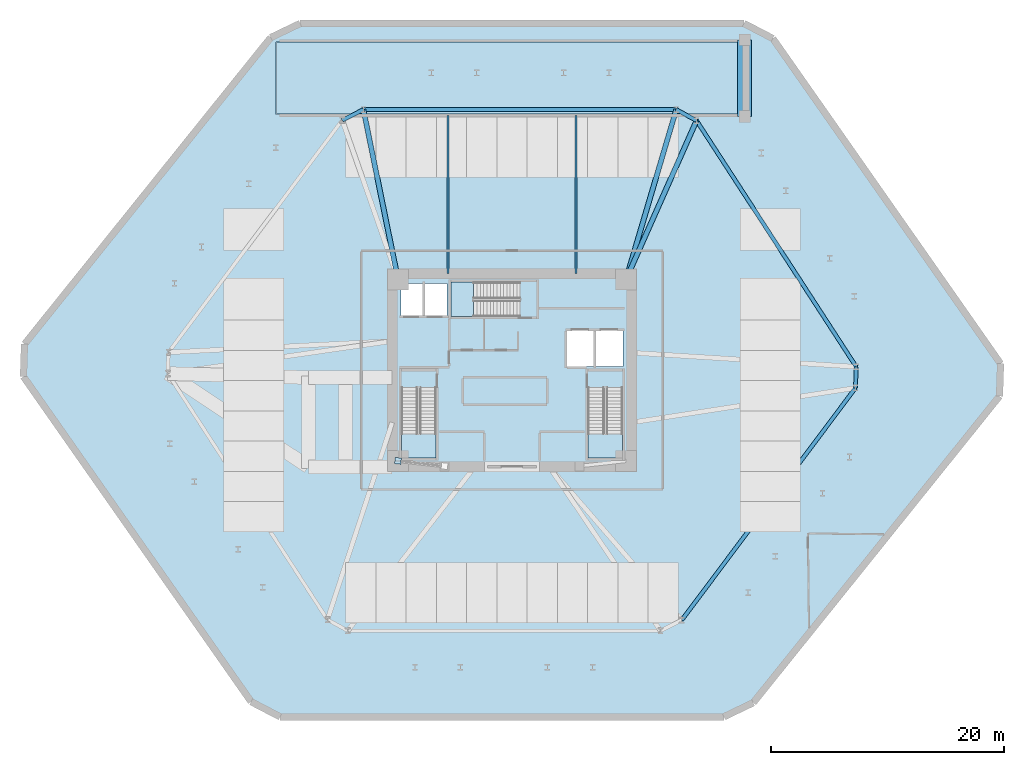
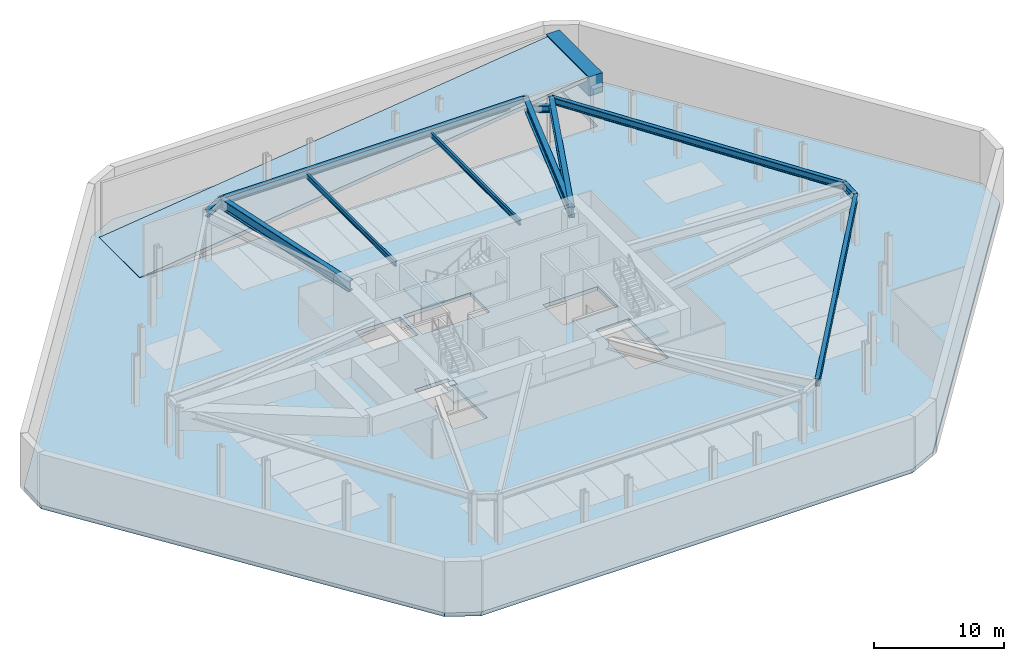
# One storey, part 2 of 8: 12 beams, 5 slabs, 1 plate, 3 elements without a shape of their own.
"""IFC4 building model written with IfcOpenShell, lengths in metres."""

from ifc_helpers import new_model, si_unit, direction, frame, origin, origin_2d, place, context, subcontext, project, spatial, polyline, rectangle, i_section, outline, extrude, source, transform, mapped, material, layer, layer_set, material_profile, profile_set, type_object, type_shapes, element, aggregate, save


model = new_model("IFC4")

# Units and contexts
model_context = context("Model", 3, precision=1e-05, world=origin(), true_north=direction((0.0, 1.0)))
body_context = subcontext(model_context, "Body", "Model", "MODEL_VIEW")
ifc_project = project(units=[si_unit("LENGTHUNIT", "METRE"), si_unit("AREAUNIT", "SQUARE_METRE"), si_unit("VOLUMEUNIT", "CUBIC_METRE"), si_unit("PLANEANGLEUNIT", "RADIAN"), si_unit("MASSUNIT", "GRAM", prefix="KILO")], contexts=[model_context])

# Site, building, storey
site_placement = place(None, origin())
site = spatial("IfcSite", under=ifc_project, at=site_placement, CompositionType="ELEMENT")
building_placement = place(site_placement, origin())
building = spatial("IfcBuilding", under=site, at=building_placement, Name="Durnholm Broadcast Tower", CompositionType="ELEMENT")
storey_placement = place(building_placement, frame((0.0, 0.0, -5.0)))
storey = spatial("IfcBuildingStorey", under=building, at=storey_placement, Name="B01", CompositionType="ELEMENT", Elevation=-5.0)

# Beams
ifc_material_1 = material(Name="Concrete C70/85", Category="concrete")
ifc_material_profile_1 = material_profile(ifc_material_1, rectangle(XDim=1.199951171875, YDim=1.800048828125, at=origin_2d()), Name="RC1200X1800")
ifc_profile_set_1 = profile_set([ifc_material_profile_1], Name="Concrete C70/85")
beam_type_1 = type_object("IfcBeamType", Name="BM-TG-RC1800", PredefinedType="USERDEFINED", material=ifc_profile_set_1)
shared_shape_1 = source(origin(), body_context, "Body", "SweptSolid", [
    extrude(rectangle(XDim=1.199951171875, YDim=1.800048828125, at=origin_2d()), origin(), (0.0, 0.0, 1.0), 6.599853515625),
])
type_shapes(beam_type_1, [shared_shape_1])
beam_1_placement = place(storey_placement, frame((20.0, 21.800048828125, 4.10009765625), z_axis=(0.0, 1.0, 0.0), x_axis=(-1.0, 0.0, 0.0)))
element("IfcBeam", 1, at=beam_1_placement, inside=storey, type_object=beam_type_1, Name="B01 vehicle ramp upper bearing transfer header", ObjectType="GIRDER", PredefinedType="USERDEFINED", context=body_context, shape_type="MappedRepresentation", body=[
    mapped(shared_shape_1, transform((0.0, 0.0, 0.0), x_axis=(1.0, 0.0, 0.0), y_axis=(0.0, 1.0, 0.0), z_axis=(0.0, 0.0, 1.0), scale=1.0)),
])
ifc_material_2 = material(Name="Steel ASTM A992 Grade 50", Category="steel")
ifc_material_profile_2 = material_profile(ifc_material_2, i_section(OverallWidth=0.3330078125, OverallDepth=0.660888671875, WebThickness=0.0244140625, FlangeThickness=0.0439453125, FilletRadius=0.02783203125, at=origin_2d()), Name="W24X229")
ifc_profile_set_2 = profile_set([ifc_material_profile_2], Name="Steel ASTM A992 Grade 50")
beam_type_2 = type_object("IfcBeamType", Name="STL-SP-W24X229", PredefinedType="SPANDREL", material=ifc_profile_set_2)
shared_shape_2 = source(origin(), body_context, "Body", "SweptSolid", [
    extrude(i_section(OverallWidth=0.3330078125, OverallDepth=0.660888671875, WebThickness=0.0244140625, FlangeThickness=0.0439453125, FilletRadius=0.02783203125, at=origin_2d()), origin(), (0.0, 0.0, 1.0), 25.22265625),
])
beam_2_placement = place(storey_placement, frame((15.866455078125, 21.45068359375, 4.3544921875), z_axis=(0.544117081794, -0.839009297505, 0.0), x_axis=(0.839009297505, 0.544117081794, 0.0)))
element("IfcBeam", 2, at=beam_2_placement, inside=storey, type_object=beam_type_2, Name="B01 perimeter spandrel girder 07", PredefinedType="SPANDREL", context=body_context, shape_type="MappedRepresentation", body=[
    mapped(shared_shape_2, transform((0.0, 0.0, 0.0), x_axis=(1.0, 0.0, 0.0), y_axis=(0.0, 1.0, 0.0), z_axis=(0.0, 0.0, 1.0), scale=1.0)),
])
shared_shape_3 = source(origin(), body_context, "Body", "SweptSolid", [
    extrude(i_section(OverallWidth=0.3330078125, OverallDepth=0.660888671875, WebThickness=0.0244140625, FlangeThickness=0.0439453125, FilletRadius=0.02783203125, at=origin_2d()), origin(), (0.0, 0.0, 1.0), 1.820068359375),
])
beam_3_placement = place(storey_placement, frame((29.590576171875, 0.28857421875, 4.3544921875), z_axis=(-0.033667655889, -0.999433083776, 0.0), x_axis=(0.999433083776, -0.033667655889, 0.0)))
element("IfcBeam", 3, at=beam_3_placement, inside=storey, type_object=beam_type_2, Name="B01 perimeter spandrel girder 08", PredefinedType="SPANDREL", context=body_context, shape_type="MappedRepresentation", body=[
    mapped(shared_shape_3, transform((0.0, 0.0, 0.0), x_axis=(1.0, 0.0, 0.0), y_axis=(0.0, 1.0, 0.0), z_axis=(0.0, 0.0, 1.0), scale=1.0)),
])
shared_shape_4 = source(origin(), body_context, "Body", "SweptSolid", [
    extrude(i_section(OverallWidth=0.3330078125, OverallDepth=0.660888671875, WebThickness=0.0244140625, FlangeThickness=0.0439453125, FilletRadius=0.02783203125, at=origin_2d()), origin(), (0.0, 0.0, 1.0), 24.926513671875),
])
beam_4_placement = place(storey_placement, frame((29.529296875, -1.530517578125, 4.3544921875), z_axis=(-0.599153427318, -0.800634230178, 0.0), x_axis=(0.800634230178, -0.599153427318, 0.0)))
element("IfcBeam", 4, at=beam_4_placement, inside=storey, type_object=beam_type_2, Name="B01 perimeter spandrel girder 09", PredefinedType="SPANDREL", context=body_context, shape_type="MappedRepresentation", body=[
    mapped(shared_shape_4, transform((0.0, 0.0, 0.0), x_axis=(1.0, 0.0, 0.0), y_axis=(0.0, 1.0, 0.0), z_axis=(0.0, 0.0, 1.0), scale=1.0)),
])
shared_shape_5 = source(origin(), body_context, "Body", "SweptSolid", [
    extrude(i_section(OverallWidth=0.3330078125, OverallDepth=0.660888671875, WebThickness=0.0244140625, FlangeThickness=0.0439453125, FilletRadius=0.02783203125, at=origin_2d()), origin(), (0.0, 0.0, 1.0), 2.0380859375),
])
beam_5_placement = place(storey_placement, frame((-14.594482421875, 21.487548828125, 4.3544921875), z_axis=(0.894211470078, 0.447644777452, 0.0), x_axis=(-0.447644777452, 0.894211470078, 0.0)))
element("IfcBeam", 5, at=beam_5_placement, inside=storey, type_object=beam_type_2, Name="B01 perimeter spandrel girder 04", PredefinedType="SPANDREL", context=body_context, shape_type="MappedRepresentation", body=[
    mapped(shared_shape_5, transform((0.0, 0.0, 0.0), x_axis=(1.0, 0.0, 0.0), y_axis=(0.0, 1.0, 0.0), z_axis=(0.0, 0.0, 1.0), scale=1.0)),
])
shared_shape_6 = source(origin(), body_context, "Body", "SweptSolid", [
    extrude(i_section(OverallWidth=0.3330078125, OverallDepth=0.660888671875, WebThickness=0.0244140625, FlangeThickness=0.0439453125, FilletRadius=0.02783203125, at=origin_2d()), origin(), (0.0, 0.0, 1.0), 26.891357421875),
])
beam_6_placement = place(storey_placement, frame((-12.77197265625, 22.39990234375, 4.3544921875), z_axis=(1.0, 0.0, 0.0), x_axis=(0.0, 1.0, 0.0)))
element("IfcBeam", 6, at=beam_6_placement, inside=storey, type_object=beam_type_2, Name="B01 perimeter spandrel girder 05", PredefinedType="SPANDREL", context=body_context, shape_type="MappedRepresentation", body=[
    mapped(shared_shape_6, transform((0.0, 0.0, 0.0), x_axis=(1.0, 0.0, 0.0), y_axis=(0.0, 1.0, 0.0), z_axis=(0.0, 0.0, 1.0), scale=1.0)),
])
shared_shape_7 = source(origin(), body_context, "Body", "SweptSolid", [
    extrude(i_section(OverallWidth=0.3330078125, OverallDepth=0.660888671875, WebThickness=0.0244140625, FlangeThickness=0.0439453125, FilletRadius=0.02783203125, at=origin_2d()), origin(), (0.0, 0.0, 1.0), 1.98828125),
])
type_shapes(beam_type_2, [shared_shape_2, shared_shape_3, shared_shape_4, shared_shape_5, shared_shape_6, shared_shape_7])
beam_7_placement = place(storey_placement, frame((14.119384765625, 22.39990234375, 3.549560546875), z_axis=(0.878682739647, -0.477406161508, 0.0), x_axis=(0.477406161508, 0.878682739647, 0.0)))
element("IfcBeam", 7, at=beam_7_placement, inside=storey, type_object=beam_type_2, Name="B01 perimeter spandrel girder 06", PredefinedType="SPANDREL", context=body_context, shape_type="MappedRepresentation", body=[
    mapped(shared_shape_7, transform((0.0, 0.0, 0.0), x_axis=(1.0, 0.0, 0.0), y_axis=(0.0, 1.0, 0.0), z_axis=(0.0, 0.0, 1.0), scale=1.0)),
])
ifc_material_profile_3 = material_profile(ifc_material_2, i_section(OverallWidth=0.427490234375, OverallDepth=0.9755859375, WebThickness=0.031005859375, FlangeThickness=0.055908203125, FilletRadius=0.0380859375, at=origin_2d()), Name="W36X395")
ifc_profile_set_3 = profile_set([ifc_material_profile_3], Name="Steel ASTM A992 Grade 50")
beam_type_3 = type_object("IfcBeamType", Name="STL-GR-W36X395", PredefinedType="USERDEFINED", material=ifc_profile_set_3)
shared_shape_8 = source(origin(), body_context, "Body", "SweptSolid", [
    extrude(i_section(OverallWidth=0.427490234375, OverallDepth=0.9755859375, WebThickness=0.031005859375, FlangeThickness=0.055908203125, FilletRadius=0.0380859375, at=origin_2d()), origin(), (0.0, 0.0, 1.0), 14.899169921875),
])
beam_8_placement = place(storey_placement, frame((-9.800048828125, 7.800048828125, 4.197265625), z_axis=(-0.19946783416, 0.979904374485, 0.0), x_axis=(-0.979904374485, -0.19946783416, 0.0)))
element("IfcBeam", 8, at=beam_8_placement, inside=storey, type_object=beam_type_3, Name="B01 radial primary floor girder 05", ObjectType="GIRDER", PredefinedType="USERDEFINED", context=body_context, shape_type="MappedRepresentation", body=[
    mapped(shared_shape_8, transform((0.0, 0.0, 0.0), x_axis=(1.0, 0.0, 0.0), y_axis=(0.0, 1.0, 0.0), z_axis=(0.0, 0.0, 1.0), scale=1.0)),
])
shared_shape_9 = source(origin(), body_context, "Body", "SweptSolid", [
    extrude(i_section(OverallWidth=0.427490234375, OverallDepth=0.9755859375, WebThickness=0.031005859375, FlangeThickness=0.055908203125, FilletRadius=0.0380859375, at=origin_2d()), origin(), (0.0, 0.0, 1.0), 15.225341796875),
])
beam_9_placement = place(storey_placement, frame((9.800048828125, 7.800048828125, 4.197265625), z_axis=(0.283693029157, 0.958915150161, 0.0), x_axis=(-0.958915150161, 0.283693029157, 0.0)))
element("IfcBeam", 9, at=beam_9_placement, inside=storey, type_object=beam_type_3, Name="B01 radial primary floor girder 06", ObjectType="GIRDER", PredefinedType="USERDEFINED", context=body_context, shape_type="MappedRepresentation", body=[
    mapped(shared_shape_9, transform((0.0, 0.0, 0.0), x_axis=(1.0, 0.0, 0.0), y_axis=(0.0, 1.0, 0.0), z_axis=(0.0, 0.0, 1.0), scale=1.0)),
])
shared_shape_10 = source(origin(), body_context, "Body", "SweptSolid", [
    extrude(i_section(OverallWidth=0.427490234375, OverallDepth=0.9755859375, WebThickness=0.031005859375, FlangeThickness=0.055908203125, FilletRadius=0.0380859375, at=origin_2d()), origin(), (0.0, 0.0, 1.0), 14.93798828125),
])
type_shapes(beam_type_3, [shared_shape_8, shared_shape_9, shared_shape_10])
beam_10_placement = place(storey_placement, frame((9.800048828125, 7.800048828125, 4.197265625), z_axis=(0.406108137323, 0.913825027453, 0.0), x_axis=(-0.913825027453, 0.406108137323, 0.0)))
element("IfcBeam", 10, at=beam_10_placement, inside=storey, type_object=beam_type_3, Name="B01 radial primary floor girder 07", ObjectType="GIRDER", PredefinedType="USERDEFINED", context=body_context, shape_type="MappedRepresentation", body=[
    mapped(shared_shape_10, transform((0.0, 0.0, 0.0), x_axis=(1.0, 0.0, 0.0), y_axis=(0.0, 1.0, 0.0), z_axis=(0.0, 0.0, 1.0), scale=1.0)),
])
ifc_material_profile_4 = material_profile(ifc_material_2, i_section(OverallWidth=0.19189453125, OverallDepth=0.46337890625, WebThickness=0.010498046875, FlangeThickness=0.017578125, FilletRadius=0.020263671875, at=origin_2d()), Name="W18X60")
ifc_profile_set_4 = profile_set([ifc_material_profile_4], Name="Steel ASTM A992 Grade 50")
beam_type_4 = type_object("IfcBeamType", Name="STL-BJ-W18X60", PredefinedType="JOIST", material=ifc_profile_set_4)
shared_shape_11 = source(origin(), body_context, "Body", "SweptSolid", [
    extrude(i_section(OverallWidth=0.19189453125, OverallDepth=0.46337890625, WebThickness=0.010498046875, FlangeThickness=0.017578125, FilletRadius=0.020263671875, at=origin_2d()), origin(), (0.0, 0.0, 1.0), 13.58984375),
])
type_shapes(beam_type_4, [shared_shape_11])
for number, where, z_axis, x_axis, name in (
    (11, (-5.5, 8.300048828125, 4.453369140625), (0.0, 1.0, 0.0), (-1.0, 0.0, 0.0), "B01 secondary floor joist 3.2"),
    (12, (5.5, 8.300048828125, 4.453369140625), (0.0, 1.0, 0.0), (-1.0, 0.0, 0.0), "B01 secondary floor joist 4.2"),
):
    element("IfcBeam", number, at=place(storey_placement, frame(where, z_axis=z_axis, x_axis=x_axis)), inside=storey, type_object=beam_type_4, Name=name, PredefinedType="JOIST", context=body_context, shape_type="MappedRepresentation", body=[
        mapped(shared_shape_11, transform((0.0, 0.0, 0.0), x_axis=(1.0, 0.0, 0.0), y_axis=(0.0, 1.0, 0.0), z_axis=(0.0, 0.0, 1.0), scale=1.0)),
    ])

# Slab
ifc_material_3 = material(Name="Concrete C50/60", Category="concrete")
ifc_layer_1 = layer(ifc_material_3, 0.35009765625)
ifc_layer_set_1 = layer_set([ifc_layer_1], Name="Concrete C50/60")
slab_type_1 = type_object("IfcSlabType", Name="SLAB-FLR-350", PredefinedType="FLOOR", material=ifc_layer_set_1)
slab_1_placement = place(storey_placement, frame((0.0, 0.0, -0.35009765625)))
element("IfcSlab", 13, at=slab_1_placement, inside=storey, type_object=slab_type_1, Name="B01 substructure structural slab", PredefinedType="FLOOR", context=body_context, shape_type="SweptSolid", body=[
    extrude(outline(polyline([(-22.421142578125, -28.507080078125), (-19.9375, -29.800048828125), (18.211669921875, -29.800048828125), (20.736572265625, -28.589599609375), (41.90380859375, -2.240478515625), (41.995849609375, 0.55810546875), (22.421142578125, 28.507080078125), (19.9375, 29.800048828125), (-18.211669921875, 29.800048828125), (-20.736572265625, 28.589599609375), (-41.90380859375, 2.240478515625), (-41.995849609375, -0.55810546875), (-22.421142578125, -28.507080078125)]), holes=[polyline([(-6.5400390625, -1.5), (-9.5, -1.5), (-9.5, -7.550048828125), (-6.5400390625, -7.550048828125), (-6.5400390625, -1.5)]), polyline([(9.5, -7.550048828125), (9.5, -1.5), (6.5400390625, -1.5), (6.5400390625, -7.550048828125), (9.5, -7.550048828125)]), polyline([(9.550048828125, 3.39990234375), (4.699951171875, 3.39990234375), (4.699951171875, 0.300048828125), (9.550048828125, 0.300048828125), (9.550048828125, 3.39990234375)]), polyline([(-9.550048828125, 7.449951171875), (-9.550048828125, 4.699951171875), (-5.60009765625, 4.699951171875), (-5.60009765625, 7.449951171875), (-9.550048828125, 7.449951171875)]), polyline([(-5.25, 4.60009765625), (0.699951171875, 4.60009765625), (0.699951171875, 7.56005859375), (-5.25, 7.56005859375), (-5.25, 4.60009765625)]), polyline([(20.27001953125, 28.219970703125), (-20.27001953125, 28.219970703125), (-20.27001953125, 21.97998046875), (20.27001953125, 21.97998046875), (20.27001953125, 28.219970703125)])]), origin(), (0.0, 0.0, 1.0), 0.35009765625),
])

# Stair, slab
stair_type = type_object("IfcStairType", Name="STAIR-DL-30R1667", PredefinedType="HALF_TURN_STAIR", material=ifc_material_3)
stair_1_placement = place(storey_placement, origin())
stair_1 = element("IfcStair", 14, at=stair_1_placement, inside=storey, type_object=stair_type, Name="B01 ST-1", PredefinedType="HALF_TURN_STAIR")
ifc_layer_2 = layer(ifc_material_3, 0.199951171875)
ifc_layer_set_2 = layer_set([ifc_layer_2], Name="Concrete C50/60")
slab_type_2 = type_object("IfcSlabType", Name="SLAB-LND-200", PredefinedType="LANDING", material=ifc_layer_set_2)
slab_2_placement = place(storey_placement, frame((0.0, 0.0, 2.300048828125)))
slab_2 = element("IfcSlab", 15, at=slab_2_placement, type_object=slab_type_2, Name="ST-1 landing 1", PredefinedType="LANDING", context=body_context, shape_type="SweptSolid", body=[
    extrude(outline(polyline([(-9.5, -5.489990234375), (-9.5, -7.550048828125), (-6.5400390625, -7.550048828125), (-6.5400390625, -5.489990234375), (-9.5, -5.489990234375)])), origin(), (0.0, 0.0, 1.0), 0.199951171875),
])
aggregate(stair_1, [slab_2])

stair_2_placement = place(storey_placement, origin())
stair_2 = element("IfcStair", 16, at=stair_2_placement, inside=storey, type_object=stair_type, Name="B01 ST-2", PredefinedType="HALF_TURN_STAIR")
slab_3_placement = place(storey_placement, frame((0.0, 0.0, 2.300048828125)))
slab_3 = element("IfcSlab", 17, at=slab_3_placement, type_object=slab_type_2, Name="ST-2 landing 1", PredefinedType="LANDING", context=body_context, shape_type="SweptSolid", body=[
    extrude(outline(polyline([(6.5400390625, -5.489990234375), (6.5400390625, -7.550048828125), (9.5, -7.550048828125), (9.5, -5.489990234375), (6.5400390625, -5.489990234375)])), origin(), (0.0, 0.0, 1.0), 0.199951171875),
])
aggregate(stair_2, [slab_3])

stair_3_placement = place(storey_placement, origin())
stair_3 = element("IfcStair", 18, at=stair_3_placement, inside=storey, type_object=stair_type, Name="B01 ST-3", PredefinedType="HALF_TURN_STAIR")
slab_4_placement = place(storey_placement, frame((0.0, 0.0, 2.300048828125)))
slab_4 = element("IfcSlab", 19, at=slab_4_placement, type_object=slab_type_2, Name="ST-3 landing 1", PredefinedType="LANDING", context=body_context, shape_type="SweptSolid", body=[
    extrude(outline(polyline([(-3.2900390625, 7.56005859375), (-5.25, 7.56005859375), (-5.25, 4.60009765625), (-3.2900390625, 4.60009765625), (-3.2900390625, 7.56005859375)])), origin(), (0.0, 0.0, 1.0), 0.199951171875),
])
aggregate(stair_3, [slab_4])

# Slab
ifc_layer_3 = layer(ifc_material_3, 0.35009765625)
ifc_layer_set_3 = layer_set([ifc_layer_3], Name="Concrete C50/60")
slab_type_3 = type_object("IfcSlabType", Name="SLAB-RAMP-350", PredefinedType="FLOOR", material=ifc_layer_set_3)
slab_5_placement = place(storey_placement, frame((-20.25, 22.0, 0.0), z_axis=(-0.122526572003, 0.0, 0.992465233221), x_axis=(0.992465233221, 0.0, 0.122526572003)))
element("IfcSlab", 20, at=slab_5_placement, inside=storey, type_object=slab_type_3, Name="B01 to L00 structural concrete vehicle ramp slab SRM-350", PredefinedType="FLOOR", context=body_context, shape_type="SweptSolid", body=[
    extrude(outline(polyline([(0.0, 0.0), (40.80747480548141, 0.0), (40.80747480548141, 6.199951171875), (0.0, 6.199951171875), (0.0, 0.0)])), origin(), (0.0, 0.0, -1.0), 0.35009765625),
])

# Plate
ifc_material_4 = material(Name="Steel ASTM A572 Grade 50", Category="steel")
ifc_layer_4 = layer(ifc_material_4, 0.0400390625)
ifc_layer_set_4 = layer_set([ifc_layer_4], Name="Steel ASTM A572 Grade 50")
plate_type = type_object("IfcPlateType", Name="PLT-KN-CAP", PredefinedType="USERDEFINED", material=ifc_layer_set_4)
shared_shape_12 = source(origin(), body_context, "Body", "SweptSolid", [
    extrude(rectangle(XDim=0.5400390625, YDim=0.5400390625, at=origin_2d()), origin(), (0.0, 0.0, 1.0), 0.0400390625),
])
type_shapes(plate_type, [shared_shape_12])
plate_placement = place(storey_placement, frame((-9.800048828125, -7.800048828125, 4.510986328125), z_axis=(0.0, 0.0, 1.0), x_axis=(-0.99372894862, 0.111815815852, 0.0)))
element("IfcPlate", 21, at=plate_placement, inside=storey, type_object=plate_type, Name="B01 hollow section end cap plate STL-STG-B01-1 2", ObjectType="CAP_PLATE", PredefinedType="USERDEFINED", context=body_context, shape_type="MappedRepresentation", body=[
    mapped(shared_shape_12, transform((0.0, 0.0, 0.0), x_axis=(1.0, 0.0, 0.0), y_axis=(0.0, 1.0, 0.0), z_axis=(0.0, 0.0, 1.0), scale=1.0)),
])

save(model, "model.ifc")
